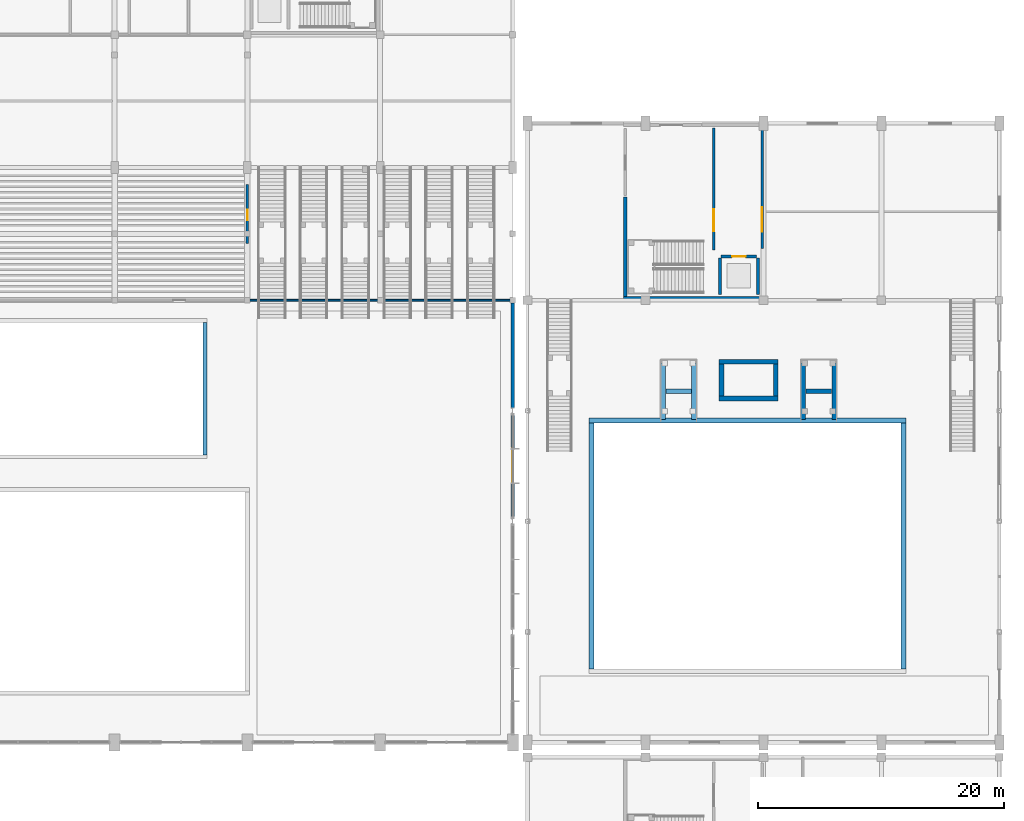
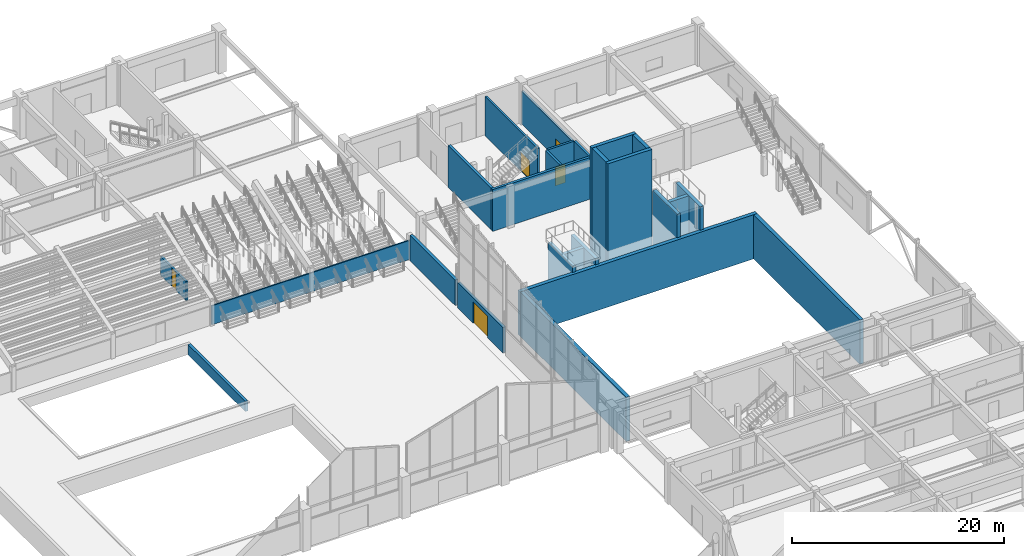
# One storey, part 59 of 82: 25 walls, 5 doors, 5 openings.
"""IFC4 building model written with IfcOpenShell, lengths in metres."""

from ifc_helpers import new_model, si_unit, direction, frame, frame_2d, origin, place, context, subcontext, project, spatial, rectangle, extrude, material, layer, layer_set, type_object, element, fill, save


model = new_model("IFC4")

# Units and contexts
model_context = context("Model", 3, precision=1e-05, world=origin(), true_north=direction((0.0, 1.0)))
body_context = subcontext(model_context, "Body", "Model", "MODEL_VIEW")
ifc_project = project(units=[si_unit("LENGTHUNIT", "METRE"), si_unit("AREAUNIT", "SQUARE_METRE"), si_unit("VOLUMEUNIT", "CUBIC_METRE"), si_unit("PLANEANGLEUNIT", "RADIAN"), si_unit("MASSUNIT", "GRAM", prefix="KILO")], contexts=[model_context])

# Site, building, storey
site_placement = place(None, origin())
site = spatial("IfcSite", under=ifc_project, at=site_placement, CompositionType="ELEMENT")
building_placement = place(site_placement, origin())
building = spatial("IfcBuilding", under=site, at=building_placement, Name="Suirenkawa Promenade Aquatics Centre", CompositionType="ELEMENT")
storey_placement = place(building_placement, origin())
storey = spatial("IfcBuildingStorey", under=building, at=storey_placement, Name="L00", CompositionType="ELEMENT", Elevation=0.0)

# Wall, opening, door
ifc_material_1 = material(Name="Autoclaved aerated concrete blockwork Grade 1", Category="masonry")
ifc_layer_1 = layer(ifc_material_1, 0.199951171875, Name="Autoclaved aerated concrete blockwork Grade 1", Category="masonry")
ifc_layer_set_1 = layer_set([ifc_layer_1], Name="Autoclaved aerated concrete blockwork Grade 1")
wall_type_1 = type_object("IfcWallType", Name="WT-COMP-200", PredefinedType="PARTITIONING", material=ifc_layer_set_1)
wall_1_placement = place(storey_placement, frame((133.199951171875, 91.0, 0.0), z_axis=(0.0, 0.0, 1.0), x_axis=(0.0, 1.0, 0.0)))
wall_1 = element("IfcWall", 1, at=wall_1_placement, inside=storey, type_object=wall_type_1, Name="Interior wall WL-PRT-01 W-7166", PredefinedType="PARTITIONING", context=body_context, shape_type="SweptSolid", body=[
    extrude(rectangle(XDim=4.800048828125, YDim=0.199951171875, at=frame_2d((2.39990234375, 0.0))), origin(), (0.0, 0.0, 1.0), 2.195068359375),
])
opening_1_placement = place(wall_1_placement, frame((1.89990234375, 0.0, 0.0)))
opening_1 = element("IfcOpeningElement", 2, at=opening_1_placement, cuts=wall_1, Name="Opening ID-13", PredefinedType="OPENING", context=body_context, shape_type="SweptSolid", body=[
    extrude(rectangle(XDim=0.85009765625, YDim=2.050048828125, at=frame_2d((0.425048828125, 1.02490234375))), frame((0.0, 0.10986328125, 0.0), z_axis=(0.0, -1.0, 0.0), x_axis=(1.0, 0.0, 0.0)), (0.0, 0.0, 1.0), 0.219970703125),
])
ifc_material_2 = material(Name="Steel IS 2062 E350 (Grade 350)", Category="steel")
door_type_1 = type_object("IfcDoorType", Name="DT-RISER-850x2050", OperationType="NOTDEFINED", PredefinedType="DOOR", material=ifc_material_2)
door_1_placement = place(opening_1_placement, origin())
door_1 = element("IfcDoor", 3, at=door_1_placement, inside=storey, type_object=door_type_1, Name="Interior door ID-13 DR-INT-0103", OperationType="SINGLE_SWING_RIGHT", OverallHeight=2.050048828125, OverallWidth=0.85009765625, PredefinedType="DOOR", context=body_context, shape_type="SweptSolid", body=[
    extrude(rectangle(XDim=0.85009765625, YDim=2.050048828125, at=frame_2d((0.425048828125, 1.02490234375))), frame((0.0, 0.02490234375, 0.0), z_axis=(0.0, -1.0, 0.0), x_axis=(1.0, 0.0, 0.0)), (0.0, 0.0, 1.0), 0.050048828125),
])
fill(opening_1, door_1)

# Walls
ifc_material_3 = material(Name="Concrete M40", Category="concrete")
ifc_layer_2 = layer(ifc_material_3, 0.280029296875, Name="Concrete M40", Category="concrete")
ifc_layer_set_2 = layer_set([ifc_layer_2], Name="Concrete M40")
wall_type_2 = type_object("IfcWallType", Name="WT-CORE-280", PredefinedType="SHEAR", material=ifc_layer_set_2)
wall_2_placement = place(storey_placement, frame((163.800048828125, 86.5400390625, 0.0), z_axis=(0.0, 0.0, 1.0), x_axis=(1.0, 0.0, 0.0)))
element("IfcWall", 4, at=wall_2_placement, inside=storey, type_object=wall_type_2, Name="C5 south core wall WL-CORE-02 W-0139", PredefinedType="SHEAR", context=body_context, shape_type="SweptSolid", body=[
    extrude(rectangle(XDim=11.39990234375, YDim=0.280029296875, at=frame_2d((5.699951171875, 0.0))), origin(), (0.0, 0.0, 1.0), 4.800048828125),
])
wall_3_placement = place(storey_placement, frame((163.93994140625, 86.679931640625, 0.0), z_axis=(0.0, 0.0, 1.0), x_axis=(0.0, 1.0, 0.0)))
element("IfcWall", 5, at=wall_3_placement, inside=storey, type_object=wall_type_2, Name="C5 west core wall WL-CORE-02 W-0142", PredefinedType="SHEAR", context=body_context, shape_type="SweptSolid", body=[
    extrude(rectangle(XDim=8.1201171875, YDim=0.280029296875, at=frame_2d((4.06005859375, 0.0))), origin(), (0.0, 0.0, 1.0), 4.800048828125),
])

# Wall, opening, door
ifc_layer_3 = layer(ifc_material_3, 0.31005859375, Name="Concrete M40", Category="concrete")
ifc_layer_set_3 = layer_set([ifc_layer_3], Name="Concrete M40")
wall_type_3 = type_object("IfcWallType", Name="WT-EXT-310", PredefinedType="SOLIDWALL", material=ifc_layer_set_3)
wall_4_placement = place(storey_placement, frame((154.800048828125, 77.169921875, 0.0), z_axis=(0.0, 0.0, 1.0), x_axis=(0.0, -1.0, 0.0)))
wall_4 = element("IfcWall", 6, at=wall_4_placement, inside=storey, type_object=wall_type_3, Name="Exterior wall WL-EXT-02 W-5022", PredefinedType="SOLIDWALL", context=body_context, shape_type="SweptSolid", body=[
    extrude(rectangle(XDim=8.5400390625, YDim=0.31005859375, at=frame_2d((4.27001953125, 0.0))), origin(), (0.0, 0.0, 1.0), 2.929931640625),
])
opening_2_placement = place(wall_4_placement, frame((2.8701171875, 0.0, 0.0)))
opening_2 = element("IfcOpeningElement", 7, at=opening_2_placement, cuts=wall_4, Name="Opening ED-03", PredefinedType="OPENING", context=body_context, shape_type="SweptSolid", body=[
    extrude(rectangle(XDim=2.800048828125, YDim=2.5, at=frame_2d((1.39990234375, 1.25))), frame((0.0, 0.1650390625, 0.0), z_axis=(0.0, -1.0, 0.0), x_axis=(1.0, 0.0, 0.0)), (0.0, 0.0, 1.0), 0.330078125),
])
ifc_material_4 = material(Name="Anodised aluminium 6063-T6", Category="aluminium")
door_type_2 = type_object("IfcDoorType", Name="DT-EXT-EXIT-2800x2500", OperationType="DOUBLE_DOOR_SINGLE_SWING", PredefinedType="DOOR", material=ifc_material_4)
door_2_placement = place(opening_2_placement, origin())
door_2 = element("IfcDoor", 8, at=door_2_placement, inside=storey, type_object=door_type_2, Name="Exterior door ED-03 DR-EXT-017", OperationType="DOUBLE_DOOR_SINGLE_SWING", OverallHeight=2.5, OverallWidth=2.800048828125, PredefinedType="DOOR", context=body_context, shape_type="SweptSolid", body=[
    extrude(rectangle(XDim=2.800048828125, YDim=2.5, at=frame_2d((1.39990234375, 1.25))), frame((0.0, 0.02490234375, 0.0), z_axis=(0.0, -1.0, 0.0), x_axis=(1.0, 0.0, 0.0)), (0.0, 0.0, 1.0), 0.050048828125),
])
fill(opening_2, door_2)

# Wall
wall_5_placement = place(storey_placement, frame((154.800048828125, 86.169921875, 0.0), z_axis=(0.0, 0.0, 1.0), x_axis=(0.0, -1.0, 0.0)))
element("IfcWall", 9, at=wall_5_placement, inside=storey, type_object=wall_type_3, Name="Exterior wall WL-EXT-02 W-5024", PredefinedType="SOLIDWALL", context=body_context, shape_type="SweptSolid", body=[
    extrude(rectangle(XDim=8.5400390625, YDim=0.31005859375, at=frame_2d((4.27001953125, 0.0))), origin(), (0.0, 0.0, 1.0), 2.929931640625),
])

# Wall, opening, door
ifc_material_5 = material(Name="Concrete M35", Category="concrete")
ifc_layer_4 = layer(ifc_material_5, 0.219970703125, Name="Concrete M35", Category="concrete")
ifc_layer_set_4 = layer_set([ifc_layer_4], Name="Concrete M35")
wall_type_4 = type_object("IfcWallType", Name="WT-LOBBY-220", PredefinedType="PARTITIONING", material=ifc_layer_set_4)
wall_6_placement = place(storey_placement, frame((171.14990234375, 90.5, 0.0), z_axis=(0.0, 0.0, 1.0), x_axis=(0.0, 1.0, 0.0)))
wall_6 = element("IfcWall", 10, at=wall_6_placement, inside=storey, type_object=wall_type_4, Name="Interior wall WL-LOB-01 W-7107", PredefinedType="PARTITIONING", context=body_context, shape_type="SweptSolid", body=[
    extrude(rectangle(XDim=9.89990234375, YDim=0.219970703125, at=frame_2d((4.949951171875, 0.0))), origin(), (0.0, 0.0, 1.0), 4.5048828125),
])
opening_3_placement = place(wall_6_placement, frame((1.5, 0.0, 0.0)))
opening_3 = element("IfcOpeningElement", 11, at=opening_3_placement, cuts=wall_6, Name="Opening ID-02", PredefinedType="OPENING", context=body_context, shape_type="SweptSolid", body=[
    extrude(rectangle(XDim=1.800048828125, YDim=2.199951171875, at=frame_2d((0.89990234375, 1.10009765625))), frame((0.0, 0.119873046875, 0.0), z_axis=(0.0, -1.0, 0.0), x_axis=(1.0, 0.0, 0.0)), (0.0, 0.0, 1.0), 0.239990234375),
])
door_type_3 = type_object("IfcDoorType", Name="DT-FD120-1800x2200", OperationType="DOUBLE_DOOR_SINGLE_SWING", PredefinedType="DOOR", material=ifc_material_2)
door_3_placement = place(opening_3_placement, origin())
door_3 = element("IfcDoor", 12, at=door_3_placement, inside=storey, type_object=door_type_3, Name="Interior door ID-02 DR-INT-0069", OperationType="DOUBLE_DOOR_SINGLE_SWING", OverallHeight=2.199951171875, OverallWidth=1.800048828125, PredefinedType="DOOR", context=body_context, shape_type="SweptSolid", body=[
    extrude(rectangle(XDim=1.800048828125, YDim=2.199951171875, at=frame_2d((0.89990234375, 1.10009765625))), frame((0.0, 0.02490234375, 0.0), z_axis=(0.0, -1.0, 0.0), x_axis=(1.0, 0.0, 0.0)), (0.0, 0.0, 1.0), 0.050048828125),
])
fill(opening_3, door_3)

wall_7_placement = place(storey_placement, frame((175.090087890625, 90.60009765625, 0.0), z_axis=(0.0, 0.0, 1.0), x_axis=(0.0, 1.0, 0.0)))
wall_7 = element("IfcWall", 13, at=wall_7_placement, inside=storey, type_object=wall_type_4, Name="Interior wall WL-LOB-01 W-7111", PredefinedType="PARTITIONING", context=body_context, shape_type="SweptSolid", body=[
    extrude(rectangle(XDim=9.75, YDim=0.219970703125, at=frame_2d((4.875, 0.0))), origin(), (0.0, 0.0, 1.0), 3.784912109375),
])
opening_4_placement = place(wall_7_placement, frame((1.35009765625, 0.0, 0.0)))
opening_4 = element("IfcOpeningElement", 14, at=opening_4_placement, cuts=wall_7, Name="Opening ID-01", PredefinedType="OPENING", context=body_context, shape_type="SweptSolid", body=[
    extrude(rectangle(XDim=2.0, YDim=2.199951171875, at=frame_2d((1.0, 1.10009765625))), frame((0.0, 0.119873046875, 0.0), z_axis=(0.0, -1.0, 0.0), x_axis=(1.0, 0.0, 0.0)), (0.0, 0.0, 1.0), 0.239990234375),
])
door_type_4 = type_object("IfcDoorType", Name="DT-FD120-2000x2200", OperationType="DOUBLE_DOOR_SINGLE_SWING", PredefinedType="DOOR", material=ifc_material_2)
door_4_placement = place(opening_4_placement, origin())
door_4 = element("IfcDoor", 15, at=door_4_placement, inside=storey, type_object=door_type_4, Name="Interior door ID-01 DR-INT-0071", OperationType="DOUBLE_DOOR_SINGLE_SWING", OverallHeight=2.199951171875, OverallWidth=2.0, PredefinedType="DOOR", context=body_context, shape_type="SweptSolid", body=[
    extrude(rectangle(XDim=2.0, YDim=2.199951171875, at=frame_2d((1.0, 1.10009765625))), frame((0.0, 0.02490234375, 0.0), z_axis=(0.0, -1.0, 0.0), x_axis=(1.0, 0.0, 0.0)), (0.0, 0.0, 1.0), 0.050048828125),
])
fill(opening_4, door_4)

ifc_layer_5 = layer(ifc_material_3, 0.239990234375, Name="Concrete M40", Category="concrete")
ifc_layer_set_5 = layer_set([ifc_layer_5], Name="Concrete M40")
wall_type_5 = type_object("IfcWallType", Name="WT-SHAFT-240", PredefinedType="SOLIDWALL", material=ifc_layer_set_5)
wall_8_placement = place(storey_placement, frame((171.75, 89.949951171875, 0.0), z_axis=(0.0, 0.0, 1.0), x_axis=(1.0, 0.0, 0.0)))
wall_8 = element("IfcWall", 16, at=wall_8_placement, inside=storey, type_object=wall_type_5, Name="Interior wall WL-SHF-01 W-7108", PredefinedType="SOLIDWALL", context=body_context, shape_type="SweptSolid", body=[
    extrude(rectangle(XDim=2.89990234375, YDim=0.239990234375, at=frame_2d((1.449951171875, 0.0))), origin(), (0.0, 0.0, 1.0), 4.5048828125),
])
opening_5_placement = place(wall_8_placement, frame((0.89990234375, 0.0, 0.0)))
opening_5 = element("IfcOpeningElement", 17, at=opening_5_placement, cuts=wall_8, Name="Opening LD-01", PredefinedType="OPENING", context=body_context, shape_type="SweptSolid", body=[
    extrude(rectangle(XDim=1.10009765625, YDim=2.14990234375, at=frame_2d((0.550048828125, 1.074951171875))), frame((0.0, 0.1298828125, 0.0), z_axis=(0.0, -1.0, 0.0), x_axis=(1.0, 0.0, 0.0)), (0.0, 0.0, 1.0), 0.260009765625),
])
ifc_material_6 = material(Name="Marine-grade stainless steel Grade 316L", Category="steel")
door_type_5 = type_object("IfcDoorType", Name="DT-LIFT-1100x2150", OperationType="DOUBLE_DOOR_SLIDING", PredefinedType="DOOR", material=ifc_material_6)
door_5_placement = place(opening_5_placement, origin())
door_5 = element("IfcDoor", 18, at=door_5_placement, inside=storey, type_object=door_type_5, Name="Landing door LD-01 DR-INT-0070", OperationType="DOUBLE_DOOR_SLIDING", OverallHeight=2.14990234375, OverallWidth=1.10009765625, PredefinedType="DOOR", context=body_context, shape_type="SweptSolid", body=[
    extrude(rectangle(XDim=1.10009765625, YDim=2.14990234375, at=frame_2d((0.550048828125, 1.074951171875))), frame((0.0, 0.02490234375, 0.0), z_axis=(0.0, -1.0, 0.0), x_axis=(1.0, 0.0, 0.0)), (0.0, 0.0, 1.0), 0.050048828125),
])
fill(opening_5, door_5)

# Walls
for number, where, z_axis, x_axis, name in (
    (19, (171.64990234375, 86.85009765625, 0.0), (0.0, 0.0, 1.0), (0.0, 1.0, 0.0), "Interior wall WL-SHF-01 W-7109"),
    (20, (174.75, 86.85009765625, 0.0), (0.0, 0.0, 1.0), (0.0, 1.0, 0.0), "Interior wall WL-SHF-01 W-7110"),
):
    element("IfcWall", number, at=place(storey_placement, frame(where, z_axis=z_axis, x_axis=x_axis)), inside=storey, type_object=wall_type_5, Name=name, PredefinedType="SOLIDWALL", context=body_context, shape_type="SweptSolid", body=[
        extrude(rectangle(XDim=3.0, YDim=0.239990234375, at=frame_2d((1.5, 0.0))), origin(), (0.0, 0.0, 1.0), 4.5048828125),
    ])
ifc_layer_6 = layer(ifc_material_3, 0.3798828125, Name="Concrete M40", Category="concrete")
ifc_layer_set_6 = layer_set([ifc_layer_6], Name="Concrete M40")
wall_type_6 = type_object("IfcWallType", Name="WT-SHEAR-380", PredefinedType="SHEAR", material=ifc_layer_set_6)
for number, where, z_axis, x_axis, name in (
    (21, (171.60009765625, 78.39990234375, -4.800048828125), (0.0, 0.0, 1.0), (1.0, 0.0, 0.0), "Diving tower spine wall WL-SHEAR-01 W-0037"),
    (22, (171.60009765625, 81.39990234375, -4.800048828125), (0.0, 0.0, 1.0), (1.0, 0.0, 0.0), "Diving tower rear wall WL-SHEAR-01 W-0038"),
):
    element("IfcWall", number, at=place(storey_placement, frame(where, z_axis=z_axis, x_axis=x_axis)), inside=storey, type_object=wall_type_6, Name=name, PredefinedType="SHEAR", context=body_context, shape_type="SweptSolid", body=[
        extrude(rectangle(XDim=4.7998046875, YDim=0.3798828125, at=frame_2d((2.39990234375, 0.0))), origin(), (0.0, 0.0, 1.0), 14.800048828125),
    ])
for number, where, z_axis, x_axis, name in (
    (23, (171.7900390625, 78.60009765625, -4.800048828125), (0.0, 0.0, 1.0), (0.0, 1.0, 0.0), "Diving tower west wall WL-SHEAR-01 W-0039"),
    (24, (176.2099609375, 78.60009765625, -4.800048828125), (0.0, 0.0, 1.0), (0.0, 1.0, 0.0), "Diving tower east wall WL-SHEAR-01 W-0040"),
):
    element("IfcWall", number, at=place(storey_placement, frame(where, z_axis=z_axis, x_axis=x_axis)), inside=storey, type_object=wall_type_6, Name=name, PredefinedType="SHEAR", context=body_context, shape_type="SweptSolid", body=[
        extrude(rectangle(XDim=2.599853515625, YDim=0.3798828125, at=frame_2d((1.2998046875, 0.0))), origin(), (0.0, 0.0, 1.0), 14.800048828125),
    ])
for number, where, z_axis, x_axis, name in (
    (25, (167.050048828125, 76.699951171875, -4.800048828125), (0.0, 0.0, 1.0), (0.0, 1.0, 0.0), "Springboard 1m west pier WL-SHEAR-01 W-0041"),
    (26, (169.550048828125, 76.699951171875, -4.800048828125), (0.0, 0.0, 1.0), (0.0, 1.0, 0.0), "Springboard 1m east pier WL-SHEAR-01 W-0042"),
):
    element("IfcWall", number, at=place(storey_placement, frame(where, z_axis=z_axis, x_axis=x_axis)), inside=storey, type_object=wall_type_6, Name=name, PredefinedType="SHEAR", context=body_context, shape_type="SweptSolid", body=[
        extrude(rectangle(XDim=4.60009765625, YDim=0.3798828125, at=frame_2d((2.300048828125, 0.0))), origin(), (0.0, 0.0, 1.0), 5.56005859375),
    ])
wall_9_placement = place(storey_placement, frame((167.25, 79.0, -4.800048828125), z_axis=(0.0, 0.0, 1.0), x_axis=(1.0, 0.0, 0.0)))
element("IfcWall", 27, at=wall_9_placement, inside=storey, type_object=wall_type_6, Name="Springboard 1m diaphragm WL-SHEAR-01 W-0043", PredefinedType="SHEAR", context=body_context, shape_type="SweptSolid", body=[
    extrude(rectangle(XDim=2.10009765625, YDim=0.3798828125, at=frame_2d((1.050048828125, 0.0))), origin(), (0.0, 0.0, 1.0), 5.56005859375),
])
for number, where, z_axis, x_axis, name in (
    (28, (178.449951171875, 76.699951171875, -4.800048828125), (0.0, 0.0, 1.0), (0.0, 1.0, 0.0), "Springboard 3m west pier WL-SHEAR-01 W-0044"),
    (29, (180.949951171875, 76.699951171875, -4.800048828125), (0.0, 0.0, 1.0), (0.0, 1.0, 0.0), "Springboard 3m east pier WL-SHEAR-01 W-0045"),
):
    element("IfcWall", number, at=place(storey_placement, frame(where, z_axis=z_axis, x_axis=x_axis)), inside=storey, type_object=wall_type_6, Name=name, PredefinedType="SHEAR", context=body_context, shape_type="SweptSolid", body=[
        extrude(rectangle(XDim=4.60009765625, YDim=0.3798828125, at=frame_2d((2.300048828125, 0.0))), origin(), (0.0, 0.0, 1.0), 7.56005859375),
    ])
wall_10_placement = place(storey_placement, frame((178.64990234375, 79.0, -4.800048828125), z_axis=(0.0, 0.0, 1.0), x_axis=(1.0, 0.0, 0.0)))
element("IfcWall", 30, at=wall_10_placement, inside=storey, type_object=wall_type_6, Name="Springboard 3m diaphragm WL-SHEAR-01 W-0046", PredefinedType="SHEAR", context=body_context, shape_type="SweptSolid", body=[
    extrude(rectangle(XDim=2.10009765625, YDim=0.3798828125, at=frame_2d((1.050048828125, 0.0))), origin(), (0.0, 0.0, 1.0), 7.56005859375),
])
ifc_material_7 = material(Name="Moisture-resistant acoustic gypsum board")
ifc_layer_7 = layer(ifc_material_7, 0.139892578125, Name="Moisture-resistant acoustic gypsum board")
ifc_layer_set_7 = layer_set([ifc_layer_7], Name="Moisture-resistant acoustic gypsum board")
wall_type_7 = type_object("IfcWallType", Name="WT-STD-140", PredefinedType="PARTITIONING", material=ifc_layer_set_7)
wall_11_placement = place(storey_placement, frame((133.199951171875, 86.39990234375, 0.0), z_axis=(0.0, 0.0, 1.0), x_axis=(1.0, 0.0, 0.0)))
element("IfcWall", 31, at=wall_11_placement, inside=storey, type_object=wall_type_7, Name="Interior wall WL-PRT-04 W-7320", PredefinedType="PARTITIONING", context=body_context, shape_type="SweptSolid", body=[
    extrude(rectangle(XDim=21.60009765625, YDim=0.139892578125, at=frame_2d((10.800048828125, 0.0))), origin(), (0.0, 0.0, 1.0), 2.195068359375),
])
ifc_material_8 = material(Name="Waterproof concrete M40", Category="concrete")
ifc_layer_8 = layer(ifc_material_8, 0.300048828125, Name="Waterproof concrete M40", Category="concrete")
ifc_layer_set_8 = layer_set([ifc_layer_8], Name="Waterproof concrete M40")
wall_type_8 = type_object("IfcWallType", Name="WT-TANK-300", PredefinedType="USERDEFINED", material=ifc_layer_set_8)
wall_12_placement = place(storey_placement, frame((129.75, 73.800048828125, -1.10009765625), z_axis=(0.0, 0.0, 1.0), x_axis=(0.0, 1.0, 0.0)))
element("IfcWall", 32, at=wall_12_placement, inside=storey, type_object=wall_type_8, Name="Leisure and Teaching Pool east tank wall WL-RET-04 W-0028", ObjectType="RETAININGWALL", PredefinedType="USERDEFINED", context=body_context, shape_type="SweptSolid", body=[
    extrude(rectangle(XDim=10.800048828125, YDim=0.300048828125, at=frame_2d((5.39990234375, 0.0))), origin(), (0.0, 0.0, 1.0), 1.18017578125),
])
ifc_layer_9 = layer(ifc_material_8, 0.39990234375, Name="Waterproof concrete M40", Category="concrete")
ifc_layer_set_9 = layer_set([ifc_layer_9], Name="Waterproof concrete M40")
wall_type_9 = type_object("IfcWallType", Name="WT-TANK-400", PredefinedType="USERDEFINED", material=ifc_layer_set_9)
wall_13_placement = place(storey_placement, frame((161.0, 76.60009765625, -5.0), z_axis=(0.0, 0.0, 1.0), x_axis=(1.0, 0.0, 0.0)))
element("IfcWall", 33, at=wall_13_placement, inside=storey, type_object=wall_type_9, Name="25m Diving Well north tank wall WL-RET-02 W-0030", ObjectType="RETAININGWALL", PredefinedType="USERDEFINED", context=body_context, shape_type="SweptSolid", body=[
    extrude(rectangle(XDim=25.800048828125, YDim=0.39990234375, at=frame_2d((12.89990234375, 0.0))), origin(), (0.0, 0.0, 1.0), 5.080078125),
])
for number, where, z_axis, x_axis, name in (
    (34, (161.199951171875, 56.39990234375, -5.0), (0.0, 0.0, 1.0), (0.0, 1.0, 0.0), "25m Diving Well west tank wall WL-RET-02 W-0031"),
    (35, (186.60009765625, 56.39990234375, -5.0), (0.0, 0.0, 1.0), (0.0, 1.0, 0.0), "25m Diving Well east tank wall WL-RET-02 W-0032"),
):
    element("IfcWall", number, at=place(storey_placement, frame(where, z_axis=z_axis, x_axis=x_axis)), inside=storey, type_object=wall_type_9, Name=name, ObjectType="RETAININGWALL", PredefinedType="USERDEFINED", context=body_context, shape_type="SweptSolid", body=[
        extrude(rectangle(XDim=20.0, YDim=0.39990234375, at=frame_2d((10.0, 0.0))), origin(), (0.0, 0.0, 1.0), 5.080078125),
    ])

save(model, "model.ifc")
